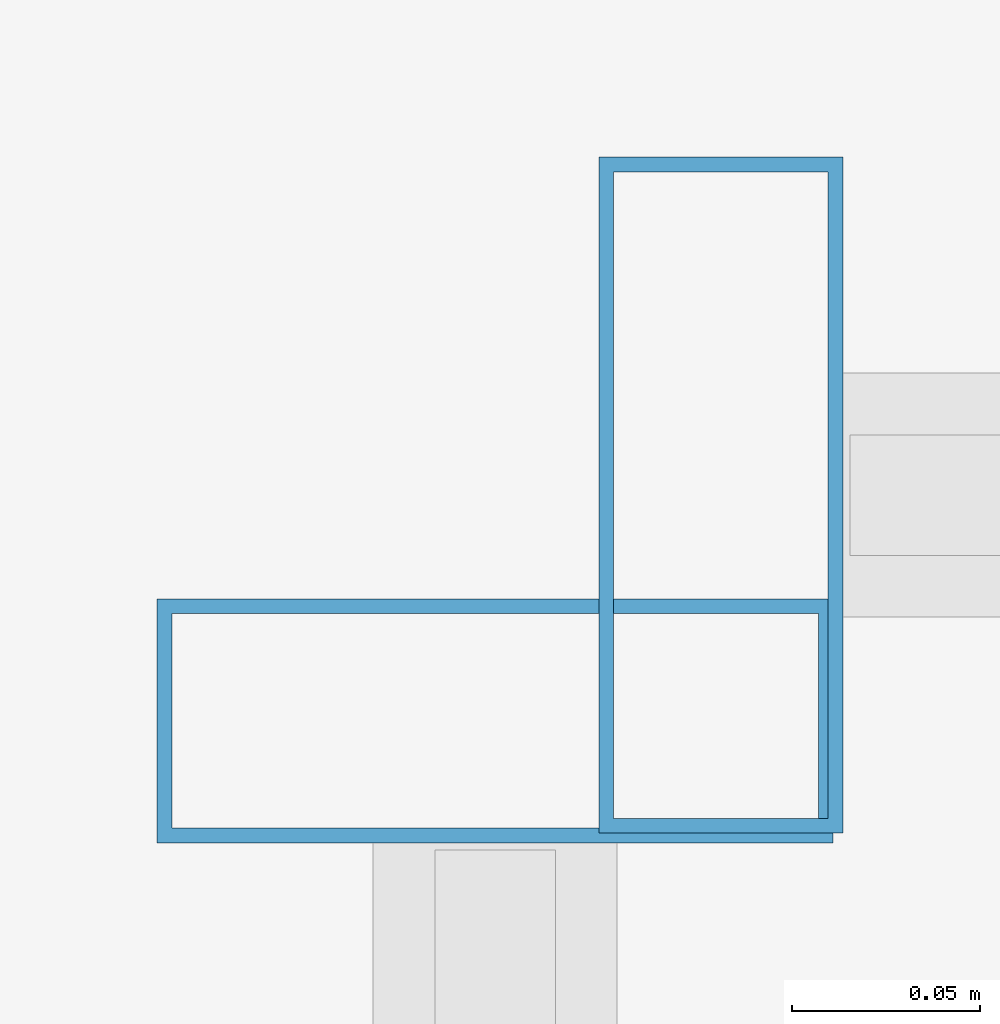
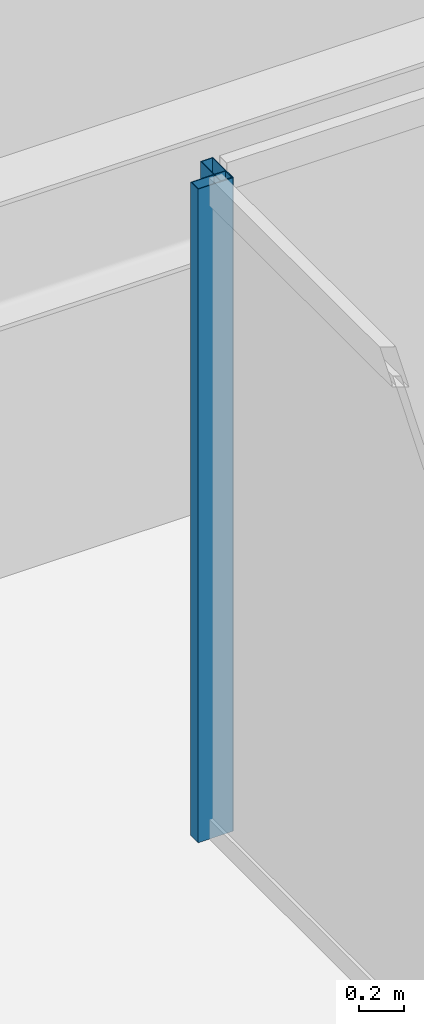
# One storey, part 12 of 35: 2 members, 2 elements without a shape of their own.
"""IFC4 building model written with IfcOpenShell, lengths in metres."""

from ifc_helpers import new_model, si_unit, direction, frame, origin, origin_2d, place, context, subcontext, project, spatial, hollow_rectangle, extrude, material, material_profile, profile_set, type_object, element, aggregate, save


model = new_model("IFC4")

# Units and contexts
model_context = context("Model", 3, precision=1e-05, world=origin(), true_north=direction((0.0, 1.0)))
body_context = subcontext(model_context, "Body", "Model", "MODEL_VIEW")
ifc_project = project(units=[si_unit("LENGTHUNIT", "METRE"), si_unit("AREAUNIT", "SQUARE_METRE"), si_unit("VOLUMEUNIT", "CUBIC_METRE"), si_unit("PLANEANGLEUNIT", "RADIAN"), si_unit("MASSUNIT", "GRAM", prefix="KILO")], contexts=[model_context])

# Site, building, storey
site_placement = place(None, origin())
site = spatial("IfcSite", under=ifc_project, at=site_placement, CompositionType="ELEMENT")
building_placement = place(site_placement, origin())
building = spatial("IfcBuilding", under=site, at=building_placement, Name="Saevonmaru Cultural Tower", CompositionType="ELEMENT")
storey_placement = place(building_placement, frame((0.0, 0.0, 179.0)))
storey = spatial("IfcBuildingStorey", under=building, at=storey_placement, Name="L40", CompositionType="ELEMENT", Elevation=179.0)

# Curtain wall, member
ifc_material = material(Name="Satin Bronze Anodised Aluminium", Category="aluminium")
curtain_wall_type = type_object("IfcCurtainWallType", Name="CW-ATR-GLZ", PredefinedType="NOTDEFINED", material=ifc_material)
curtain_wall_1_placement = place(storey_placement, origin())
curtain_wall_1 = element("IfcCurtainWall", 1, at=curtain_wall_1_placement, inside=storey, type_object=curtain_wall_type, Name="L40 Vertical Atrium Glazed Smoke Screen 3", PredefinedType="NOTDEFINED")
ifc_material_profile = material_profile(ifc_material, hollow_rectangle(XDim=0.06494140625, YDim=0.179931640625, WallThickness=0.00390625, at=origin_2d()), Name="ALU-MULL-180x65x4")
ifc_profile_set = profile_set([ifc_material_profile], Name="Satin Bronze Anodised Aluminium")
member_type = type_object("IfcMemberType", Name="ML-CW-INT-180x65", PredefinedType="MULLION", material=ifc_profile_set)
member_1_placement = place(storey_placement, frame((24.110107421875, 36.949951171875, 0.0), z_axis=(0.0, 0.0, 1.0), x_axis=(-1.0, 0.0, 0.0)))
member_1 = element("IfcMember", 2, at=member_1_placement, type_object=member_type, Name="CW-ATR-L40-3 mullion 2", PredefinedType="MULLION", context=body_context, shape_type="SweptSolid", body=[
    extrude(hollow_rectangle(XDim=0.06494140625, YDim=0.179931640625, WallThickness=0.00390625, at=origin_2d()), origin(), (0.0, 0.0, 1.0), 3.550048828125),
])
aggregate(curtain_wall_1, [member_1])

curtain_wall_2_placement = place(storey_placement, origin())
curtain_wall_2 = element("IfcCurtainWall", 3, at=curtain_wall_2_placement, inside=storey, type_object=curtain_wall_type, Name="L40 Vertical Atrium Glazed Smoke Screen 4", PredefinedType="NOTDEFINED")
member_2_placement = place(storey_placement, frame((24.050048828125, 36.889892578125, 0.0), z_axis=(0.0, 0.0, 1.0), x_axis=(0.0, -1.0, 0.0)))
member_2 = element("IfcMember", 4, at=member_2_placement, type_object=member_type, Name="CW-ATR-L40-4 mullion 1", PredefinedType="MULLION", context=body_context, shape_type="SweptSolid", body=[
    extrude(hollow_rectangle(XDim=0.06494140625, YDim=0.179931640625, WallThickness=0.00390625, at=origin_2d()), origin(), (0.0, 0.0, 1.0), 3.550048828125),
])
aggregate(curtain_wall_2, [member_2])

save(model, "model.ifc")
